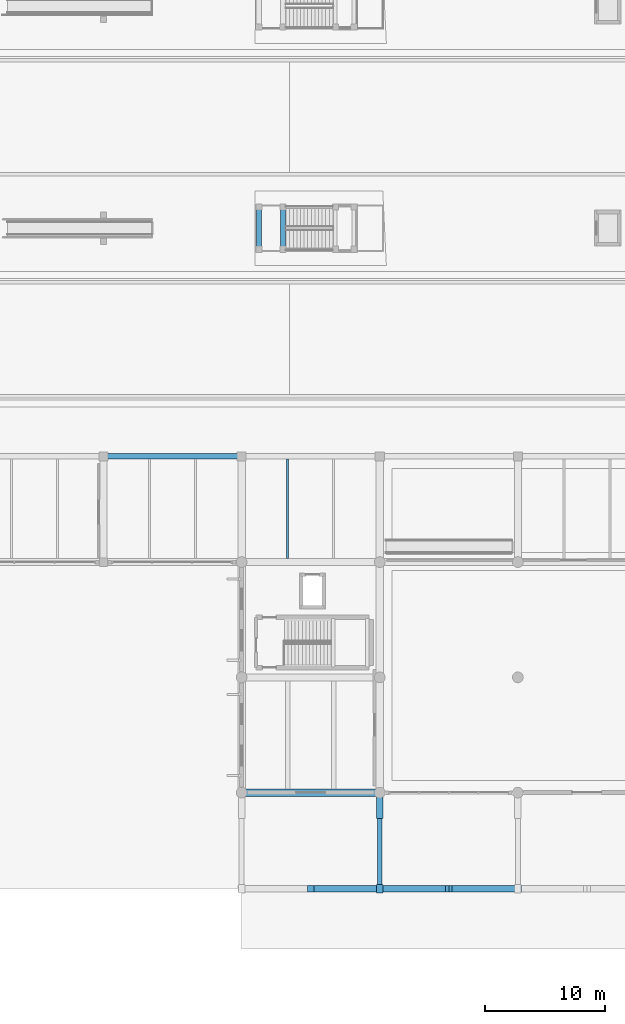
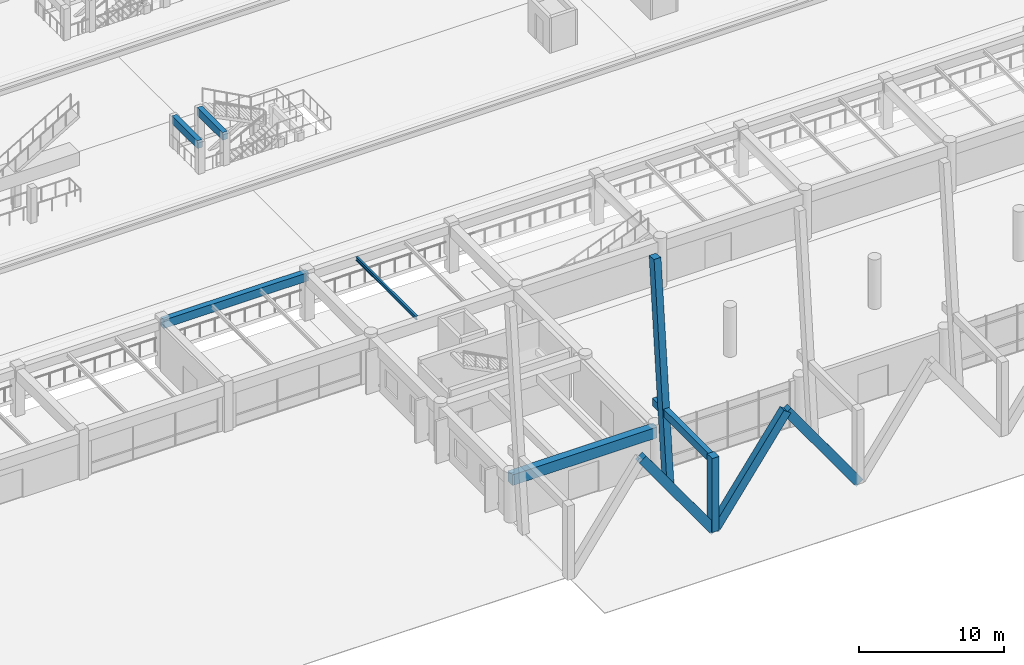
# One storey, part 13 of 109: 6 beams, 5 members.
"""IFC4 building model written with IfcOpenShell, lengths in metres."""

from ifc_helpers import new_model, si_unit, direction, frame, origin, origin_2d, place, context, subcontext, project, spatial, rectangle, i_section, extrude, material, material_profile, profile_set, type_object, element, save


model = new_model("IFC4")

# Units and contexts
model_context = context("Model", 3, precision=1e-05, world=origin(), true_north=direction((0.0, 1.0)))
body_context = subcontext(model_context, "Body", "Model", "MODEL_VIEW")
ifc_project = project(units=[si_unit("LENGTHUNIT", "METRE"), si_unit("AREAUNIT", "SQUARE_METRE"), si_unit("VOLUMEUNIT", "CUBIC_METRE"), si_unit("PLANEANGLEUNIT", "RADIAN"), si_unit("MASSUNIT", "GRAM", prefix="KILO")], contexts=[model_context])

# Site, building, storey
site_placement = place(None, origin())
site = spatial("IfcSite", under=ifc_project, at=site_placement, CompositionType="ELEMENT")
building_placement = place(site_placement, origin())
building = spatial("IfcBuilding", under=site, at=building_placement, Name="Ologun Quay Terminus", CompositionType="ELEMENT")
storey_placement = place(building_placement, origin())
storey = spatial("IfcBuildingStorey", under=building, at=storey_placement, Name="L00", CompositionType="ELEMENT", Elevation=0.0)

# Members
ifc_material_1 = material(Name="Concrete C45/55", Category="concrete")
ifc_material_profile_1 = material_profile(ifc_material_1, rectangle(XDim=0.550048828125, YDim=0.699951171875, at=origin_2d()), Name="RC 550x700")
ifc_profile_set_1 = profile_set([ifc_material_profile_1], Name="Concrete C45/55")
member_type = type_object("IfcMemberType", Name="Folded Canopy Concrete V-Strut 550x700", PredefinedType="STRUT", material=ifc_profile_set_1)
member_1_placement = place(storey_placement, frame((69.0, 6.199951171875, 0.0), z_axis=(0.0, 0.099178744049, 0.995069634111), x_axis=(-1.0, 0.0, 0.0)))
element("IfcMember", 1, at=member_1_placement, inside=storey, type_object=member_type, Name="VS2 Raked Concrete Portal Rib 7/B", PredefinedType="STRUT", context=body_context, shape_type="SweptSolid", body=[
    extrude(rectangle(XDim=0.550048828125, YDim=0.699951171875, at=origin_2d()), origin(), (0.0, 0.0, 1.0), 18.149658203125),
])
member_2_placement = place(storey_placement, frame((69.0, 0.0, 0.0), z_axis=(0.0, 0.0, 1.0), x_axis=(1.0, 0.0, 0.0)))
element("IfcMember", 2, at=member_2_placement, inside=storey, type_object=member_type, Name="VS2 Canopy Pier 7/A", PredefinedType="STRUT", context=body_context, shape_type="SweptSolid", body=[
    extrude(rectangle(XDim=0.550048828125, YDim=0.699951171875, at=origin_2d()), origin(), (0.0, 0.0, 1.0), 6.219970703125),
])
for number, where, z_axis, x_axis, name in (
    (3, (69.0, 0.0, 0.0), (-0.582674207859, 0.0, 0.812705830849), (0.0, -1.0, 0.0), "VS2 Canopy Strut 7/A-W"),
    (4, (69.0, 0.0, 0.0), (0.582674207859, 0.0, 0.812705830849), (0.0, 1.0, 0.0), "VS2 Canopy Strut 7/A-E"),
    (5, (80.5, 0.0, 0.0), (-0.582674207859, 0.0, 0.812705830849), (0.0, -1.0, 0.0), "VS2 Canopy Strut 8/A-W"),
):
    element("IfcMember", number, at=place(storey_placement, frame(where, z_axis=z_axis, x_axis=x_axis)), inside=storey, type_object=member_type, Name=name, PredefinedType="STRUT", context=body_context, shape_type="SweptSolid", body=[
        extrude(rectangle(XDim=0.550048828125, YDim=0.699951171875, at=origin_2d()), origin(), (0.0, 0.0, 1.0), 9.868408203125),
    ])

# Beams
ifc_material_2 = material(Name="Steel S355", Category="steel")
ifc_material_profile_2 = material_profile(ifc_material_2, i_section(OverallWidth=0.1650390625, OverallDepth=0.303466796875, WebThickness=0.006103515625, FlangeThickness=0.01025390625, at=origin_2d()), Name="UKB 305x165x40")
ifc_profile_set_2 = profile_set([ifc_material_profile_2], Name="Steel S355")
beam_type_1 = type_object("IfcBeamType", Name="Mezzanine Steel Joist UKB305", PredefinedType="JOIST", material=ifc_profile_set_2)
beam_1_placement = place(storey_placement, frame((61.333251953125, 27.5, 3.748291015625), z_axis=(0.0, 1.0, 0.0), x_axis=(-1.0, 0.0, 0.0)))
element("IfcBeam", 6, at=beam_1_placement, inside=storey, type_object=beam_type_1, Name="SJ1 Beam 6/D L00", PredefinedType="JOIST", context=body_context, shape_type="SweptSolid", body=[
    extrude(i_section(OverallWidth=0.1650390625, OverallDepth=0.303466796875, WebThickness=0.006103515625, FlangeThickness=0.01025390625, at=origin_2d()), origin(), (0.0, 0.0, 1.0), 8.27490234375),
])
ifc_material_3 = material(Name="Concrete C40/50", Category="concrete")
ifc_material_profile_3 = material_profile(ifc_material_3, rectangle(XDim=0.449951171875, YDim=0.699951171875, at=origin_2d()), Name="RC 450x700")
ifc_profile_set_3 = profile_set([ifc_material_profile_3], Name="Concrete C40/50")
beam_type_2 = type_object("IfcBeamType", Name="Perimeter Spandrel Beam 450x700", PredefinedType="SPANDREL", material=ifc_profile_set_3)
beam_2_placement = place(storey_placement, frame((46.0, 36.0, 3.550048828125), z_axis=(1.0, 0.0, 0.0), x_axis=(0.0, 1.0, 0.0)))
element("IfcBeam", 7, at=beam_2_placement, inside=storey, type_object=beam_type_2, Name="SP1 Beam 5/E L00", PredefinedType="SPANDREL", context=body_context, shape_type="SweptSolid", body=[
    extrude(rectangle(XDim=0.449951171875, YDim=0.699951171875, at=origin_2d()), origin(), (0.0, 0.0, 1.0), 11.5),
])
ifc_material_4 = material(Name="Concrete C40/50", Category="concrete")
ifc_material_profile_4 = material_profile(ifc_material_4, rectangle(XDim=0.60009765625, YDim=0.89990234375, at=origin_2d()), Name="RC 600x900")
ifc_profile_set_4 = profile_set([ifc_material_profile_4], Name="Concrete C40/50")
beam_type_3 = type_object("IfcBeamType", Name="Station Frame Girder 600x900", PredefinedType="BEAM", material=ifc_profile_set_4)
beam_3_placement = place(storey_placement, frame((57.5, 8.0, 3.449951171875), z_axis=(1.0, 0.0, 0.0), x_axis=(0.0, 1.0, 0.0)))
element("IfcBeam", 8, at=beam_3_placement, inside=storey, type_object=beam_type_3, Name="B3 Beam 6/B L00", PredefinedType="BEAM", context=body_context, shape_type="SweptSolid", body=[
    extrude(rectangle(XDim=0.60009765625, YDim=0.89990234375, at=origin_2d()), origin(), (0.0, 0.0, 1.0), 11.5),
])
ifc_material_5 = material(Name="Concrete C40/50", Category="concrete")
ifc_material_profile_5 = material_profile(ifc_material_5, rectangle(XDim=0.39990234375, YDim=0.64990234375, at=origin_2d()), Name="RC 400x650")
ifc_profile_set_5 = profile_set([ifc_material_profile_5], Name="Concrete C40/50")
beam_type_4 = type_object("IfcBeamType", Name="Station Secondary Joist 400x650", PredefinedType="JOIST", material=ifc_profile_set_5)
for number, where, z_axis, x_axis, name in (
    (9, (58.949951171875, 53.25, 3.574951171875), (0.0, 1.0, 0.0), (-1.0, 0.0, 0.0), "J1 Beam 6/E L00"),
    (10, (60.949951171875, 53.25, 3.574951171875), (0.0, 1.0, 0.0), (-1.0, 0.0, 0.0), "J1 Beam 6/E L00"),
):
    element("IfcBeam", number, at=place(storey_placement, frame(where, z_axis=z_axis, x_axis=x_axis)), inside=storey, type_object=beam_type_4, Name=name, PredefinedType="JOIST", context=body_context, shape_type="SweptSolid", body=[
        extrude(rectangle(XDim=0.39990234375, YDim=0.64990234375, at=origin_2d()), origin(), (0.0, 0.0, 1.0), 3.5),
    ])
beam_4_placement = place(storey_placement, frame((69.0, 0.0, 5.89501953125), z_axis=(0.0, 1.0, 0.0), x_axis=(-1.0, 0.0, 0.0)))
element("IfcBeam", 11, at=beam_4_placement, inside=storey, type_object=beam_type_4, Name="J1 Beam 7/A L00", PredefinedType="JOIST", context=body_context, shape_type="SweptSolid", body=[
    extrude(rectangle(XDim=0.39990234375, YDim=0.64990234375, at=origin_2d()), origin(), (0.0, 0.0, 1.0), 8.0),
])

save(model, "model.ifc")
